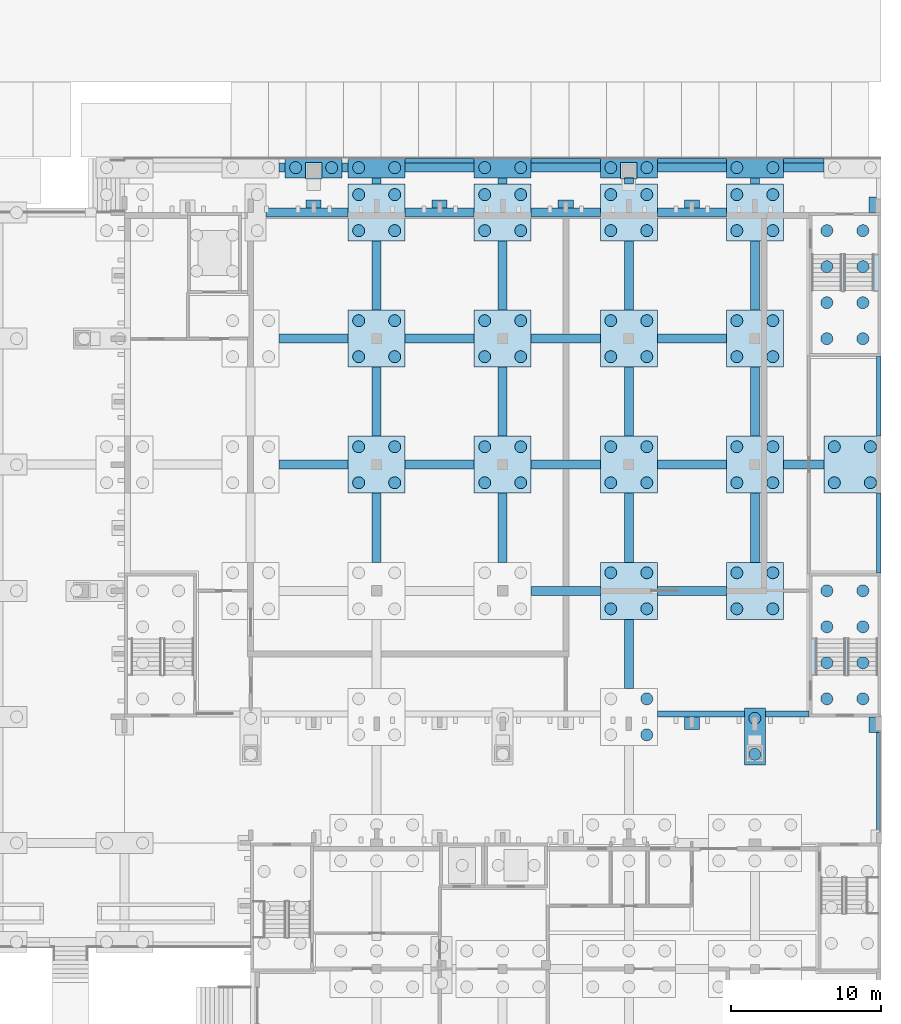
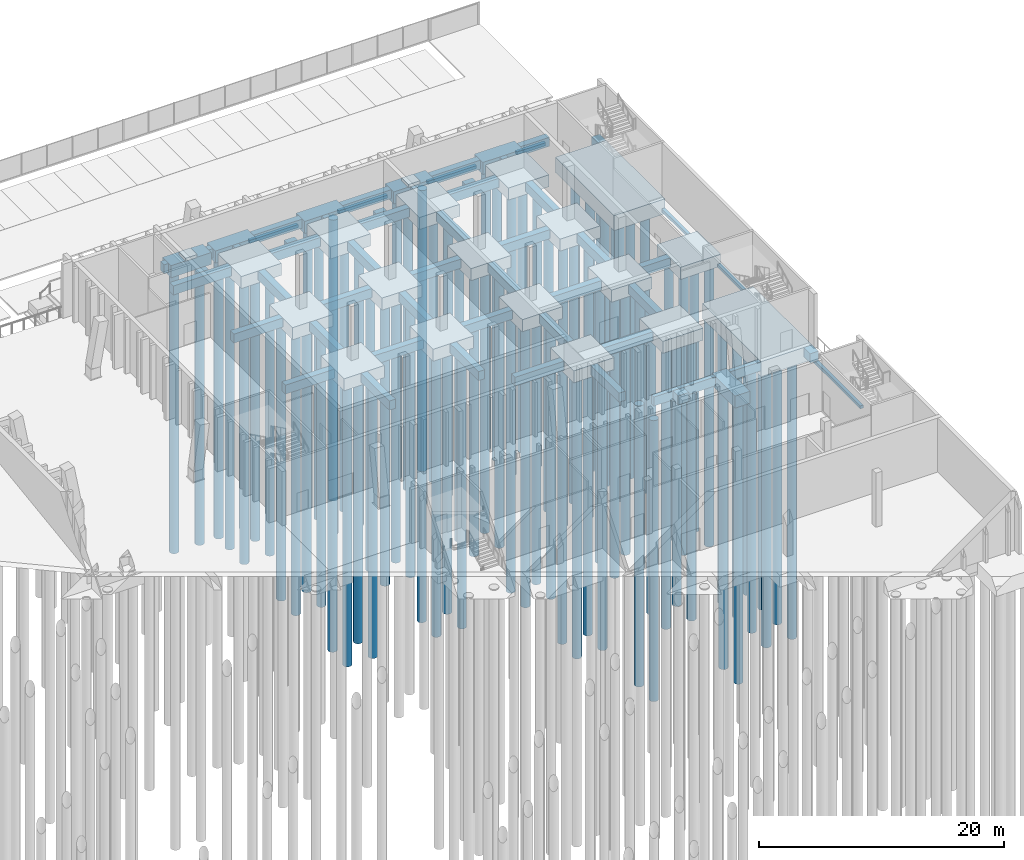
# One storey, part 9 of 129: 90 piles, 79 footings.
"""IFC4 building model written with IfcOpenShell, lengths in metres."""

from ifc_helpers import new_model, si_unit, direction, frame, origin, origin_2d, place, context, subcontext, project, spatial, rectangle, circle, extrude, material, material_profile, profile_set, type_object, element, save


model = new_model("IFC4")

# Units and contexts
model_context = context("Model", 3, precision=1e-05, world=origin(), true_north=direction((0.0, 1.0)))
body_context = subcontext(model_context, "Body", "Model", "MODEL_VIEW")
ifc_project = project(units=[si_unit("LENGTHUNIT", "METRE"), si_unit("AREAUNIT", "SQUARE_METRE"), si_unit("VOLUMEUNIT", "CUBIC_METRE"), si_unit("PLANEANGLEUNIT", "RADIAN"), si_unit("MASSUNIT", "GRAM", prefix="KILO")], contexts=[model_context])

# Site, building, storey
site_placement = place(None, origin())
site = spatial("IfcSite", under=ifc_project, at=site_placement, CompositionType="ELEMENT")
building_placement = place(site_placement, origin())
building = spatial("IfcBuilding", under=site, at=building_placement, Name="Kiln Court Media Centre", CompositionType="ELEMENT")
storey_placement = place(building_placement, origin())
storey = spatial("IfcBuildingStorey", under=building, at=storey_placement, Name="L00", CompositionType="ELEMENT", Elevation=0.0)

# Piles
ifc_material_1 = material(Name="Concrete C30/37", Category="concrete")
ifc_material_profile_1 = material_profile(ifc_material_1, circle(Radius=0.39990234375, at=origin_2d()), Name="PILE D800")
ifc_profile_set_1 = profile_set([ifc_material_profile_1], Name="Concrete C30/37")
pile_type_1 = type_object("IfcPileType", Name="Concrete C30/37 bored pile D800 cut-off -1.400 toe -29.400", PredefinedType="BORED", material=ifc_profile_set_1)
for number, where, z_axis, x_axis, name in (
    (1, (159.60009765625, 31.10009765625, -1.39990234375), (0.0, 0.0, -1.0), (1.0, 0.0, 0.0), "L00-PI-1393"),
    (2, (159.60009765625, 33.5, -1.39990234375), (0.0, 0.0, -1.0), (1.0, 0.0, 0.0), "L00-PI-1394"),
    (3, (152.39990234375, 32.39990234375, -1.39990234375), (0.0, 0.0, -1.0), (1.0, 0.0, 0.0), "L00-PI-1449"),
    (4, (152.39990234375, 34.800048828125, -1.39990234375), (0.0, 0.0, -1.0), (1.0, 0.0, 0.0), "L00-PI-1451"),
    (5, (150.0, 40.800048828125, -1.39990234375), (0.0, 0.0, -1.0), (1.0, 0.0, 0.0), "L00-PI-1575"),
    (6, (152.39990234375, 40.800048828125, -1.39990234375), (0.0, 0.0, -1.0), (1.0, 0.0, 0.0), "L00-PI-1576"),
    (7, (150.0, 43.199951171875, -1.39990234375), (0.0, 0.0, -1.0), (1.0, 0.0, 0.0), "L00-PI-1577"),
    (8, (152.39990234375, 43.199951171875, -1.39990234375), (0.0, 0.0, -1.0), (1.0, 0.0, 0.0), "L00-PI-1578"),
    (9, (158.39990234375, 40.800048828125, -1.39990234375), (0.0, 0.0, -1.0), (1.0, 0.0, 0.0), "L00-PI-1579"),
    (10, (160.800048828125, 40.800048828125, -1.39990234375), (0.0, 0.0, -1.0), (1.0, 0.0, 0.0), "L00-PI-1580"),
    (11, (158.39990234375, 43.199951171875, -1.39990234375), (0.0, 0.0, -1.0), (1.0, 0.0, 0.0), "L00-PI-1581"),
    (12, (160.800048828125, 43.199951171875, -1.39990234375), (0.0, 0.0, -1.0), (1.0, 0.0, 0.0), "L00-PI-1582"),
    (13, (133.199951171875, 49.199951171875, -1.39990234375), (0.0, 0.0, -1.0), (1.0, 0.0, 0.0), "L00-PI-1664"),
    (14, (135.60009765625, 49.199951171875, -1.39990234375), (0.0, 0.0, -1.0), (1.0, 0.0, 0.0), "L00-PI-1665"),
    (15, (133.199951171875, 51.60009765625, -1.39990234375), (0.0, 0.0, -1.0), (1.0, 0.0, 0.0), "L00-PI-1666"),
    (16, (135.60009765625, 51.60009765625, -1.39990234375), (0.0, 0.0, -1.0), (1.0, 0.0, 0.0), "L00-PI-1667"),
    (17, (141.60009765625, 49.199951171875, -1.39990234375), (0.0, 0.0, -1.0), (1.0, 0.0, 0.0), "L00-PI-1668"),
    (18, (144.0, 49.199951171875, -1.39990234375), (0.0, 0.0, -1.0), (1.0, 0.0, 0.0), "L00-PI-1669"),
    (19, (141.60009765625, 51.60009765625, -1.39990234375), (0.0, 0.0, -1.0), (1.0, 0.0, 0.0), "L00-PI-1670"),
    (20, (144.0, 51.60009765625, -1.39990234375), (0.0, 0.0, -1.0), (1.0, 0.0, 0.0), "L00-PI-1671"),
    (21, (150.0, 49.199951171875, -1.39990234375), (0.0, 0.0, -1.0), (1.0, 0.0, 0.0), "L00-PI-1672"),
    (22, (152.39990234375, 49.199951171875, -1.39990234375), (0.0, 0.0, -1.0), (1.0, 0.0, 0.0), "L00-PI-1673"),
    (23, (150.0, 51.60009765625, -1.39990234375), (0.0, 0.0, -1.0), (1.0, 0.0, 0.0), "L00-PI-1674"),
    (24, (152.39990234375, 51.60009765625, -1.39990234375), (0.0, 0.0, -1.0), (1.0, 0.0, 0.0), "L00-PI-1675"),
    (25, (158.39990234375, 49.199951171875, -1.39990234375), (0.0, 0.0, -1.0), (1.0, 0.0, 0.0), "L00-PI-1676"),
    (26, (160.800048828125, 49.199951171875, -1.39990234375), (0.0, 0.0, -1.0), (1.0, 0.0, 0.0), "L00-PI-1677"),
    (27, (158.39990234375, 51.60009765625, -1.39990234375), (0.0, 0.0, -1.0), (1.0, 0.0, 0.0), "L00-PI-1678"),
    (28, (160.800048828125, 51.60009765625, -1.39990234375), (0.0, 0.0, -1.0), (1.0, 0.0, 0.0), "L00-PI-1679"),
    (29, (164.89990234375, 49.199951171875, -1.39990234375), (0.0, 0.0, -1.0), (1.0, 0.0, 0.0), "L00-PI-1680"),
    (30, (167.300048828125, 49.199951171875, -1.39990234375), (0.0, 0.0, -1.0), (1.0, 0.0, 0.0), "L00-PI-1681"),
    (31, (164.89990234375, 51.60009765625, -1.39990234375), (0.0, 0.0, -1.0), (1.0, 0.0, 0.0), "L00-PI-1682"),
    (32, (167.300048828125, 51.60009765625, -1.39990234375), (0.0, 0.0, -1.0), (1.0, 0.0, 0.0), "L00-PI-1683"),
    (33, (133.199951171875, 57.60009765625, -1.39990234375), (0.0, 0.0, -1.0), (1.0, 0.0, 0.0), "L00-PI-1753"),
    (34, (135.60009765625, 57.60009765625, -1.39990234375), (0.0, 0.0, -1.0), (1.0, 0.0, 0.0), "L00-PI-1754"),
    (35, (133.199951171875, 60.0, -1.39990234375), (0.0, 0.0, -1.0), (1.0, 0.0, 0.0), "L00-PI-1755"),
    (36, (135.60009765625, 60.0, -1.39990234375), (0.0, 0.0, -1.0), (1.0, 0.0, 0.0), "L00-PI-1756"),
    (37, (141.60009765625, 57.60009765625, -1.39990234375), (0.0, 0.0, -1.0), (1.0, 0.0, 0.0), "L00-PI-1757"),
    (38, (144.0, 57.60009765625, -1.39990234375), (0.0, 0.0, -1.0), (1.0, 0.0, 0.0), "L00-PI-1758"),
    (39, (141.60009765625, 60.0, -1.39990234375), (0.0, 0.0, -1.0), (1.0, 0.0, 0.0), "L00-PI-1759"),
    (40, (144.0, 60.0, -1.39990234375), (0.0, 0.0, -1.0), (1.0, 0.0, 0.0), "L00-PI-1760"),
    (41, (150.0, 57.60009765625, -1.39990234375), (0.0, 0.0, -1.0), (1.0, 0.0, 0.0), "L00-PI-1761"),
    (42, (152.39990234375, 57.60009765625, -1.39990234375), (0.0, 0.0, -1.0), (1.0, 0.0, 0.0), "L00-PI-1762"),
    (43, (150.0, 60.0, -1.39990234375), (0.0, 0.0, -1.0), (1.0, 0.0, 0.0), "L00-PI-1763"),
    (44, (152.39990234375, 60.0, -1.39990234375), (0.0, 0.0, -1.0), (1.0, 0.0, 0.0), "L00-PI-1764"),
    (45, (158.39990234375, 57.60009765625, -1.39990234375), (0.0, 0.0, -1.0), (1.0, 0.0, 0.0), "L00-PI-1765"),
    (46, (160.800048828125, 57.60009765625, -1.39990234375), (0.0, 0.0, -1.0), (1.0, 0.0, 0.0), "L00-PI-1766"),
    (47, (158.39990234375, 60.0, -1.39990234375), (0.0, 0.0, -1.0), (1.0, 0.0, 0.0), "L00-PI-1767"),
    (48, (160.800048828125, 60.0, -1.39990234375), (0.0, 0.0, -1.0), (1.0, 0.0, 0.0), "L00-PI-1768"),
    (49, (133.199951171875, 66.0, -1.39990234375), (0.0, 0.0, -1.0), (1.0, 0.0, 0.0), "L00-PI-1875"),
    (50, (135.60009765625, 66.0, -1.39990234375), (0.0, 0.0, -1.0), (1.0, 0.0, 0.0), "L00-PI-1876"),
    (51, (133.199951171875, 68.39990234375, -1.39990234375), (0.0, 0.0, -1.0), (1.0, 0.0, 0.0), "L00-PI-1877"),
    (52, (135.60009765625, 68.39990234375, -1.39990234375), (0.0, 0.0, -1.0), (1.0, 0.0, 0.0), "L00-PI-1878"),
    (53, (141.60009765625, 66.0, -1.39990234375), (0.0, 0.0, -1.0), (1.0, 0.0, 0.0), "L00-PI-1879"),
    (54, (144.0, 66.0, -1.39990234375), (0.0, 0.0, -1.0), (1.0, 0.0, 0.0), "L00-PI-1880"),
    (55, (141.60009765625, 68.39990234375, -1.39990234375), (0.0, 0.0, -1.0), (1.0, 0.0, 0.0), "L00-PI-1881"),
    (56, (144.0, 68.39990234375, -1.39990234375), (0.0, 0.0, -1.0), (1.0, 0.0, 0.0), "L00-PI-1882"),
    (57, (150.0, 66.0, -1.39990234375), (0.0, 0.0, -1.0), (1.0, 0.0, 0.0), "L00-PI-1883"),
    (58, (152.39990234375, 66.0, -1.39990234375), (0.0, 0.0, -1.0), (1.0, 0.0, 0.0), "L00-PI-1884"),
    (59, (150.0, 68.39990234375, -1.39990234375), (0.0, 0.0, -1.0), (1.0, 0.0, 0.0), "L00-PI-1885"),
    (60, (152.39990234375, 68.39990234375, -1.39990234375), (0.0, 0.0, -1.0), (1.0, 0.0, 0.0), "L00-PI-1886"),
    (61, (158.39990234375, 66.0, -1.39990234375), (0.0, 0.0, -1.0), (1.0, 0.0, 0.0), "L00-PI-1887"),
    (62, (160.800048828125, 66.0, -1.39990234375), (0.0, 0.0, -1.0), (1.0, 0.0, 0.0), "L00-PI-1888"),
    (63, (158.39990234375, 68.39990234375, -1.39990234375), (0.0, 0.0, -1.0), (1.0, 0.0, 0.0), "L00-PI-1889"),
    (64, (160.800048828125, 68.39990234375, -1.39990234375), (0.0, 0.0, -1.0), (1.0, 0.0, 0.0), "L00-PI-1890"),
    (65, (129.0, 70.199951171875, -1.39990234375), (0.0, 0.0, -1.0), (1.0, 0.0, 0.0), "L00-PI-1923"),
    (66, (131.39990234375, 70.199951171875, -1.39990234375), (0.0, 0.0, -1.0), (1.0, 0.0, 0.0), "L00-PI-1924"),
    (67, (133.199951171875, 70.199951171875, -1.39990234375), (0.0, 0.0, -1.0), (1.0, 0.0, 0.0), "L00-PI-1925"),
    (68, (135.60009765625, 70.199951171875, -1.39990234375), (0.0, 0.0, -1.0), (1.0, 0.0, 0.0), "L00-PI-1926"),
    (69, (141.60009765625, 70.199951171875, -1.39990234375), (0.0, 0.0, -1.0), (1.0, 0.0, 0.0), "L00-PI-1927"),
    (70, (144.0, 70.199951171875, -1.39990234375), (0.0, 0.0, -1.0), (1.0, 0.0, 0.0), "L00-PI-1928"),
    (71, (150.0, 70.199951171875, -1.39990234375), (0.0, 0.0, -1.0), (1.0, 0.0, 0.0), "L00-PI-1929"),
    (72, (152.39990234375, 70.199951171875, -1.39990234375), (0.0, 0.0, -1.0), (1.0, 0.0, 0.0), "L00-PI-1930"),
    (73, (158.39990234375, 70.199951171875, -1.39990234375), (0.0, 0.0, -1.0), (1.0, 0.0, 0.0), "L00-PI-1931"),
    (74, (160.800048828125, 70.199951171875, -1.39990234375), (0.0, 0.0, -1.0), (1.0, 0.0, 0.0), "L00-PI-1932"),
):
    element("IfcPile", number, at=place(storey_placement, frame(where, z_axis=z_axis, x_axis=x_axis)), inside=storey, type_object=pile_type_1, Name=name, PredefinedType="BORED", context=body_context, shape_type="SweptSolid", body=[
        extrude(circle(Radius=0.39990234375, at=origin_2d()), origin(), (0.0, 0.0, 1.0), 28.0),
    ])
ifc_material_2 = material(Name="Concrete C30/37", Category="concrete")
ifc_material_profile_2 = material_profile(ifc_material_2, circle(Radius=0.39990234375, at=origin_2d()), Name="PILE D800")
ifc_profile_set_2 = profile_set([ifc_material_profile_2], Name="Concrete C30/37")
pile_type_2 = type_object("IfcPileType", Name="Concrete C30/37 bored pile D800 cut-off -1.700 toe -29.700", PredefinedType="BORED", material=ifc_profile_set_2)
for number, where, z_axis, x_axis, name in (
    (75, (164.39990234375, 34.800048828125, -1.699951171875), (0.0, 0.0, -1.0), (1.0, 0.0, 0.0), "L00-PI-1480"),
    (76, (166.800048828125, 34.800048828125, -1.699951171875), (0.0, 0.0, -1.0), (1.0, 0.0, 0.0), "L00-PI-1481"),
    (77, (164.39990234375, 37.199951171875, -1.699951171875), (0.0, 0.0, -1.0), (1.0, 0.0, 0.0), "L00-PI-1482"),
    (78, (166.800048828125, 37.199951171875, -1.699951171875), (0.0, 0.0, -1.0), (1.0, 0.0, 0.0), "L00-PI-1483"),
    (79, (164.39990234375, 39.60009765625, -1.699951171875), (0.0, 0.0, -1.0), (1.0, 0.0, 0.0), "L00-PI-1484"),
    (80, (166.800048828125, 39.60009765625, -1.699951171875), (0.0, 0.0, -1.0), (1.0, 0.0, 0.0), "L00-PI-1485"),
    (81, (164.39990234375, 42.0, -1.699951171875), (0.0, 0.0, -1.0), (1.0, 0.0, 0.0), "L00-PI-1486"),
    (82, (166.800048828125, 42.0, -1.699951171875), (0.0, 0.0, -1.0), (1.0, 0.0, 0.0), "L00-PI-1487"),
    (83, (164.39990234375, 58.800048828125, -1.699951171875), (0.0, 0.0, -1.0), (1.0, 0.0, 0.0), "L00-PI-1801"),
    (84, (166.800048828125, 58.800048828125, -1.699951171875), (0.0, 0.0, -1.0), (1.0, 0.0, 0.0), "L00-PI-1802"),
    (85, (164.39990234375, 61.199951171875, -1.699951171875), (0.0, 0.0, -1.0), (1.0, 0.0, 0.0), "L00-PI-1803"),
    (86, (166.800048828125, 61.199951171875, -1.699951171875), (0.0, 0.0, -1.0), (1.0, 0.0, 0.0), "L00-PI-1804"),
    (87, (164.39990234375, 63.60009765625, -1.699951171875), (0.0, 0.0, -1.0), (1.0, 0.0, 0.0), "L00-PI-1805"),
    (88, (166.800048828125, 63.60009765625, -1.699951171875), (0.0, 0.0, -1.0), (1.0, 0.0, 0.0), "L00-PI-1806"),
    (89, (164.39990234375, 66.0, -1.699951171875), (0.0, 0.0, -1.0), (1.0, 0.0, 0.0), "L00-PI-1807"),
    (90, (166.800048828125, 66.0, -1.699951171875), (0.0, 0.0, -1.0), (1.0, 0.0, 0.0), "L00-PI-1808"),
):
    element("IfcPile", number, at=place(storey_placement, frame(where, z_axis=z_axis, x_axis=x_axis)), inside=storey, type_object=pile_type_2, Name=name, PredefinedType="BORED", context=body_context, shape_type="SweptSolid", body=[
        extrude(circle(Radius=0.39990234375, at=origin_2d()), origin(), (0.0, 0.0, 1.0), 28.0),
    ])

# Footings
ifc_material_3 = material(Name="Concrete C30/37", Category="concrete")
footing_type_1 = type_object("IfcFootingType", Name="Concrete C30/37 column pad 1000x900", PredefinedType="PAD_FOOTING", material=ifc_material_3)
footing_1_placement = place(storey_placement, frame((155.39990234375, 33.175048828125, -1.199951171875), z_axis=(0.0, 0.0, 1.0), x_axis=(1.0, 0.0, 0.0)))
element("IfcFooting", 91, at=footing_1_placement, inside=storey, type_object=footing_type_1, Name="L00-FT-1530", PredefinedType="PAD_FOOTING", context=body_context, shape_type="SweptSolid", body=[
    extrude(rectangle(XDim=1.0, YDim=0.85009765625, at=origin_2d()), origin(), (0.0, 0.0, 1.0), 0.89990234375),
])
for number, where, z_axis, x_axis, name in (
    (92, (130.199951171875, 67.77490234375, -1.199951171875), (0.0, 0.0, 1.0), (1.0, 0.0, 0.0), "L00-FT-1533"),
    (93, (138.60009765625, 67.77490234375, -1.199951171875), (0.0, 0.0, 1.0), (1.0, 0.0, 0.0), "L00-FT-1534"),
    (94, (147.0, 67.77490234375, -1.199951171875), (0.0, 0.0, 1.0), (1.0, 0.0, 0.0), "L00-FT-1535"),
    (95, (155.39990234375, 67.77490234375, -1.199951171875), (0.0, 0.0, 1.0), (1.0, 0.0, 0.0), "L00-FT-1536"),
):
    element("IfcFooting", number, at=place(storey_placement, frame(where, z_axis=z_axis, x_axis=x_axis)), inside=storey, type_object=footing_type_1, Name=name, PredefinedType="PAD_FOOTING", context=body_context, shape_type="SweptSolid", body=[
        extrude(rectangle(XDim=1.0, YDim=0.550048828125, at=origin_2d()), origin(), (0.0, 0.0, 1.0), 0.89990234375),
    ])
ifc_material_4 = material(Name="Concrete C30/37", Category="concrete")
footing_type_2 = type_object("IfcFootingType", Name="Concrete C30/37 column pad 1200x900", PredefinedType="PAD_FOOTING", material=ifc_material_4)
for number, where, z_axis, x_axis, name in (
    (96, (167.612548828125, 33.074951171875, -1.199951171875), (0.0, 0.0, 1.0), (1.0, 0.0, 0.0), "L00-FT-1531"),
    (97, (167.612548828125, 67.72509765625, -1.199951171875), (0.0, 0.0, 1.0), (1.0, 0.0, 0.0), "L00-FT-1537"),
):
    element("IfcFooting", number, at=place(storey_placement, frame(where, z_axis=z_axis, x_axis=x_axis)), inside=storey, type_object=footing_type_2, Name=name, PredefinedType="PAD_FOOTING", context=body_context, shape_type="SweptSolid", body=[
        extrude(rectangle(XDim=0.77490234375, YDim=1.050048828125, at=origin_2d()), origin(), (0.0, 0.0, 1.0), 0.89990234375),
    ])
ifc_material_5 = material(Name="Concrete C30/37", Category="concrete")
footing_type_3 = type_object("IfcFootingType", Name="Concrete C30/37 foot pier 1100x1100", PredefinedType="PAD_FOOTING", material=ifc_material_5)
for number, where, z_axis, x_axis, name in (
    (98, (130.199951171875, 70.0, -0.2998046875), (0.0, 0.0, 1.0), (1.0, 0.0, 0.0), "L00-FT-1010"),
    (99, (151.199951171875, 70.0, -0.2998046875), (0.0, 0.0, 1.0), (1.0, 0.0, 0.0), "L00-FT-1011"),
):
    element("IfcFooting", number, at=place(storey_placement, frame(where, z_axis=z_axis, x_axis=x_axis)), inside=storey, type_object=footing_type_3, Name=name, PredefinedType="PAD_FOOTING", context=body_context, shape_type="SweptSolid", body=[
        extrude(rectangle(XDim=1.10009765625, YDim=1.10009765625, at=origin_2d()), origin(), (0.0, 0.0, 1.0), 0.300048828125),
    ])
ifc_material_6 = material(Name="Concrete C30/37", Category="concrete")
footing_type_4 = type_object("IfcFootingType", Name="Concrete C30/37 ground beam 600x900", PredefinedType="STRIP_FOOTING", material=ifc_material_6)
footing_2_placement = place(storey_placement, frame((151.199951171875, 37.800048828125, -1.199951171875), z_axis=(0.0, 0.0, 1.0), x_axis=(1.0, 0.0, 0.0)))
element("IfcFooting", 100, at=footing_2_placement, inside=storey, type_object=footing_type_4, Name="L00-FT-1327", PredefinedType="STRIP_FOOTING", context=body_context, shape_type="SweptSolid", body=[
    extrude(rectangle(XDim=0.60009765625, YDim=4.60009765625, at=origin_2d()), origin(), (0.0, 0.0, 1.0), 0.89990234375),
])
for number, where, z_axis, x_axis, name in (
    (101, (147.0, 42.0, -1.199951171875), (0.0, 0.0, 1.0), (1.0, 0.0, 0.0), "L00-FT-1339"),
    (102, (155.39990234375, 42.0, -1.199951171875), (0.0, 0.0, 1.0), (1.0, 0.0, 0.0), "L00-FT-1340"),
):
    element("IfcFooting", number, at=place(storey_placement, frame(where, z_axis=z_axis, x_axis=x_axis)), inside=storey, type_object=footing_type_4, Name=name, PredefinedType="STRIP_FOOTING", context=body_context, shape_type="SweptSolid", body=[
        extrude(rectangle(XDim=4.60009765625, YDim=0.60009765625, at=origin_2d()), origin(), (0.0, 0.0, 1.0), 0.89990234375),
    ])
for number, where, z_axis, x_axis, name in (
    (103, (134.39990234375, 46.199951171875, -1.199951171875), (0.0, 0.0, 1.0), (1.0, 0.0, 0.0), "L00-FT-1348"),
    (104, (142.800048828125, 46.199951171875, -1.199951171875), (0.0, 0.0, 1.0), (1.0, 0.0, 0.0), "L00-FT-1349"),
    (105, (151.199951171875, 46.199951171875, -1.199951171875), (0.0, 0.0, 1.0), (1.0, 0.0, 0.0), "L00-FT-1350"),
    (106, (159.60009765625, 46.199951171875, -1.199951171875), (0.0, 0.0, 1.0), (1.0, 0.0, 0.0), "L00-FT-1351"),
):
    element("IfcFooting", number, at=place(storey_placement, frame(where, z_axis=z_axis, x_axis=x_axis)), inside=storey, type_object=footing_type_4, Name=name, PredefinedType="STRIP_FOOTING", context=body_context, shape_type="SweptSolid", body=[
        extrude(rectangle(XDim=0.60009765625, YDim=4.60009765625, at=origin_2d()), origin(), (0.0, 0.0, 1.0), 0.89990234375),
    ])
for number, where, z_axis, x_axis, name in (
    (107, (130.199951171875, 50.39990234375, -1.199951171875), (0.0, 0.0, 1.0), (1.0, 0.0, 0.0), "L00-FT-1360"),
    (108, (138.60009765625, 50.39990234375, -1.199951171875), (0.0, 0.0, 1.0), (1.0, 0.0, 0.0), "L00-FT-1361"),
    (109, (147.0, 50.39990234375, -1.199951171875), (0.0, 0.0, 1.0), (1.0, 0.0, 0.0), "L00-FT-1362"),
    (110, (155.39990234375, 50.39990234375, -1.199951171875), (0.0, 0.0, 1.0), (1.0, 0.0, 0.0), "L00-FT-1363"),
):
    element("IfcFooting", number, at=place(storey_placement, frame(where, z_axis=z_axis, x_axis=x_axis)), inside=storey, type_object=footing_type_4, Name=name, PredefinedType="STRIP_FOOTING", context=body_context, shape_type="SweptSolid", body=[
        extrude(rectangle(XDim=4.60009765625, YDim=0.60009765625, at=origin_2d()), origin(), (0.0, 0.0, 1.0), 0.89990234375),
    ])
footing_3_placement = place(storey_placement, frame((162.85009765625, 50.39990234375, -1.199951171875), z_axis=(0.0, 0.0, 1.0), x_axis=(1.0, 0.0, 0.0)))
element("IfcFooting", 111, at=footing_3_placement, inside=storey, type_object=footing_type_4, Name="L00-FT-1364", PredefinedType="STRIP_FOOTING", context=body_context, shape_type="SweptSolid", body=[
    extrude(rectangle(XDim=2.699951171875, YDim=0.60009765625, at=origin_2d()), origin(), (0.0, 0.0, 1.0), 0.89990234375),
])
for number, where, z_axis, x_axis, name in (
    (112, (134.39990234375, 54.60009765625, -1.199951171875), (0.0, 0.0, 1.0), (1.0, 0.0, 0.0), "L00-FT-1370"),
    (113, (142.800048828125, 54.60009765625, -1.199951171875), (0.0, 0.0, 1.0), (1.0, 0.0, 0.0), "L00-FT-1371"),
    (114, (151.199951171875, 54.60009765625, -1.199951171875), (0.0, 0.0, 1.0), (1.0, 0.0, 0.0), "L00-FT-1372"),
    (115, (159.60009765625, 54.60009765625, -1.199951171875), (0.0, 0.0, 1.0), (1.0, 0.0, 0.0), "L00-FT-1373"),
):
    element("IfcFooting", number, at=place(storey_placement, frame(where, z_axis=z_axis, x_axis=x_axis)), inside=storey, type_object=footing_type_4, Name=name, PredefinedType="STRIP_FOOTING", context=body_context, shape_type="SweptSolid", body=[
        extrude(rectangle(XDim=0.60009765625, YDim=4.60009765625, at=origin_2d()), origin(), (0.0, 0.0, 1.0), 0.89990234375),
    ])
for number, where, z_axis, x_axis, name in (
    (116, (130.199951171875, 58.800048828125, -1.199951171875), (0.0, 0.0, 1.0), (1.0, 0.0, 0.0), "L00-FT-1380"),
    (117, (138.60009765625, 58.800048828125, -1.199951171875), (0.0, 0.0, 1.0), (1.0, 0.0, 0.0), "L00-FT-1381"),
    (118, (147.0, 58.800048828125, -1.199951171875), (0.0, 0.0, 1.0), (1.0, 0.0, 0.0), "L00-FT-1382"),
    (119, (155.39990234375, 58.800048828125, -1.199951171875), (0.0, 0.0, 1.0), (1.0, 0.0, 0.0), "L00-FT-1383"),
):
    element("IfcFooting", number, at=place(storey_placement, frame(where, z_axis=z_axis, x_axis=x_axis)), inside=storey, type_object=footing_type_4, Name=name, PredefinedType="STRIP_FOOTING", context=body_context, shape_type="SweptSolid", body=[
        extrude(rectangle(XDim=4.60009765625, YDim=0.60009765625, at=origin_2d()), origin(), (0.0, 0.0, 1.0), 0.89990234375),
    ])
for number, where, z_axis, x_axis, name in (
    (120, (134.39990234375, 63.0, -1.199951171875), (0.0, 0.0, 1.0), (1.0, 0.0, 0.0), "L00-FT-1395"),
    (121, (142.800048828125, 63.0, -1.199951171875), (0.0, 0.0, 1.0), (1.0, 0.0, 0.0), "L00-FT-1396"),
    (122, (151.199951171875, 63.0, -1.199951171875), (0.0, 0.0, 1.0), (1.0, 0.0, 0.0), "L00-FT-1397"),
    (123, (159.60009765625, 63.0, -1.199951171875), (0.0, 0.0, 1.0), (1.0, 0.0, 0.0), "L00-FT-1398"),
):
    element("IfcFooting", number, at=place(storey_placement, frame(where, z_axis=z_axis, x_axis=x_axis)), inside=storey, type_object=footing_type_4, Name=name, PredefinedType="STRIP_FOOTING", context=body_context, shape_type="SweptSolid", body=[
        extrude(rectangle(XDim=0.60009765625, YDim=4.60009765625, at=origin_2d()), origin(), (0.0, 0.0, 1.0), 0.89990234375),
    ])
footing_4_placement = place(storey_placement, frame((129.760009765625, 67.199951171875, -1.199951171875), z_axis=(0.0, 0.0, 1.0), x_axis=(1.0, 0.0, 0.0)))
element("IfcFooting", 124, at=footing_4_placement, inside=storey, type_object=footing_type_4, Name="L00-FT-1408", PredefinedType="STRIP_FOOTING", context=body_context, shape_type="SweptSolid", body=[
    extrude(rectangle(XDim=5.47998046875, YDim=0.60009765625, at=origin_2d()), origin(), (0.0, 0.0, 1.0), 0.89990234375),
])
for number, where, z_axis, x_axis, name in (
    (125, (138.60009765625, 67.199951171875, -1.199951171875), (0.0, 0.0, 1.0), (1.0, 0.0, 0.0), "L00-FT-1409"),
    (126, (147.0, 67.199951171875, -1.199951171875), (0.0, 0.0, 1.0), (1.0, 0.0, 0.0), "L00-FT-1410"),
    (127, (155.39990234375, 67.199951171875, -1.199951171875), (0.0, 0.0, 1.0), (1.0, 0.0, 0.0), "L00-FT-1411"),
):
    element("IfcFooting", number, at=place(storey_placement, frame(where, z_axis=z_axis, x_axis=x_axis)), inside=storey, type_object=footing_type_4, Name=name, PredefinedType="STRIP_FOOTING", context=body_context, shape_type="SweptSolid", body=[
        extrude(rectangle(XDim=4.60009765625, YDim=0.60009765625, at=origin_2d()), origin(), (0.0, 0.0, 1.0), 0.89990234375),
    ])
for number, where, z_axis, x_axis, name in (
    (128, (134.39990234375, 69.300048828125, -1.199951171875), (0.0, 0.0, 1.0), (1.0, 0.0, 0.0), "L00-FT-1422"),
    (129, (142.800048828125, 69.300048828125, -1.199951171875), (0.0, 0.0, 1.0), (1.0, 0.0, 0.0), "L00-FT-1423"),
    (130, (151.199951171875, 69.300048828125, -1.199951171875), (0.0, 0.0, 1.0), (1.0, 0.0, 0.0), "L00-FT-1424"),
    (131, (159.60009765625, 69.300048828125, -1.199951171875), (0.0, 0.0, 1.0), (1.0, 0.0, 0.0), "L00-FT-1425"),
):
    element("IfcFooting", number, at=place(storey_placement, frame(where, z_axis=z_axis, x_axis=x_axis)), inside=storey, type_object=footing_type_4, Name=name, PredefinedType="STRIP_FOOTING", context=body_context, shape_type="SweptSolid", body=[
        extrude(rectangle(XDim=0.60009765625, YDim=0.39990234375, at=origin_2d()), origin(), (0.0, 0.0, 1.0), 0.89990234375),
    ])
for number, where, z_axis, x_axis, name in (
    (132, (128.10009765625, 70.199951171875, -1.199951171875), (0.0, 0.0, 1.0), (1.0, 0.0, 0.0), "L00-FT-1442"),
    (133, (132.300048828125, 70.199951171875, -1.199951171875), (0.0, 0.0, 1.0), (1.0, 0.0, 0.0), "L00-FT-1443"),
):
    element("IfcFooting", number, at=place(storey_placement, frame(where, z_axis=z_axis, x_axis=x_axis)), inside=storey, type_object=footing_type_4, Name=name, PredefinedType="STRIP_FOOTING", context=body_context, shape_type="SweptSolid", body=[
        extrude(rectangle(XDim=0.39990234375, YDim=0.60009765625, at=origin_2d()), origin(), (0.0, 0.0, 1.0), 0.89990234375),
    ])
for number, where, z_axis, x_axis, name in (
    (134, (138.60009765625, 70.199951171875, -1.199951171875), (0.0, 0.0, 1.0), (1.0, 0.0, 0.0), "L00-FT-1444"),
    (135, (147.0, 70.199951171875, -1.199951171875), (0.0, 0.0, 1.0), (1.0, 0.0, 0.0), "L00-FT-1445"),
    (136, (155.39990234375, 70.199951171875, -1.199951171875), (0.0, 0.0, 1.0), (1.0, 0.0, 0.0), "L00-FT-1446"),
):
    element("IfcFooting", number, at=place(storey_placement, frame(where, z_axis=z_axis, x_axis=x_axis)), inside=storey, type_object=footing_type_4, Name=name, PredefinedType="STRIP_FOOTING", context=body_context, shape_type="SweptSolid", body=[
        extrude(rectangle(XDim=4.60009765625, YDim=0.60009765625, at=origin_2d()), origin(), (0.0, 0.0, 1.0), 0.89990234375),
    ])
footing_5_placement = place(storey_placement, frame((162.85009765625, 70.199951171875, -1.199951171875), z_axis=(0.0, 0.0, 1.0), x_axis=(1.0, 0.0, 0.0)))
element("IfcFooting", 137, at=footing_5_placement, inside=storey, type_object=footing_type_4, Name="L00-FT-1447", PredefinedType="STRIP_FOOTING", context=body_context, shape_type="SweptSolid", body=[
    extrude(rectangle(XDim=2.699951171875, YDim=0.60009765625, at=origin_2d()), origin(), (0.0, 0.0, 1.0), 0.89990234375),
])
ifc_material_7 = material(Name="Concrete C30/37", Category="concrete")
footing_type_5 = type_object("IfcFootingType", Name="Concrete C30/37 pile cap 1400x3800x1200", PredefinedType="PILE_CAP", material=ifc_material_7)
footing_6_placement = place(storey_placement, frame((159.60009765625, 32.300048828125, -1.5), z_axis=(0.0, 0.0, 1.0), x_axis=(1.0, 0.0, 0.0)))
element("IfcFooting", 138, at=footing_6_placement, inside=storey, type_object=footing_type_5, Name="L00-FT-1095", PredefinedType="PILE_CAP", context=body_context, shape_type="SweptSolid", body=[
    extrude(rectangle(XDim=1.39990234375, YDim=3.800048828125, at=origin_2d()), origin(), (0.0, 0.0, 1.0), 1.199951171875),
])
ifc_material_8 = material(Name="Concrete C30/37", Category="concrete")
footing_type_6 = type_object("IfcFootingType", Name="Concrete C30/37 pile cap 3800x1400x1200", PredefinedType="PILE_CAP", material=ifc_material_8)
for number, where, z_axis, x_axis, name in (
    (139, (130.199951171875, 70.199951171875, -1.5), (0.0, 0.0, 1.0), (1.0, 0.0, 0.0), "L00-FT-1222"),
    (140, (134.39990234375, 70.199951171875, -1.5), (0.0, 0.0, 1.0), (1.0, 0.0, 0.0), "L00-FT-1223"),
    (141, (142.800048828125, 70.199951171875, -1.5), (0.0, 0.0, 1.0), (1.0, 0.0, 0.0), "L00-FT-1224"),
    (142, (151.199951171875, 70.199951171875, -1.5), (0.0, 0.0, 1.0), (1.0, 0.0, 0.0), "L00-FT-1225"),
    (143, (159.60009765625, 70.199951171875, -1.5), (0.0, 0.0, 1.0), (1.0, 0.0, 0.0), "L00-FT-1226"),
):
    element("IfcFooting", number, at=place(storey_placement, frame(where, z_axis=z_axis, x_axis=x_axis)), inside=storey, type_object=footing_type_6, Name=name, PredefinedType="PILE_CAP", context=body_context, shape_type="SweptSolid", body=[
        extrude(rectangle(XDim=3.800048828125, YDim=1.39990234375, at=origin_2d()), origin(), (0.0, 0.0, 1.0), 1.199951171875),
    ])
ifc_material_9 = material(Name="Concrete C30/37", Category="concrete")
footing_type_7 = type_object("IfcFootingType", Name="Concrete C30/37 pile cap 3800x3800x1200", PredefinedType="PILE_CAP", material=ifc_material_9)
for number, where, z_axis, x_axis, name in (
    (144, (151.199951171875, 42.0, -1.5), (0.0, 0.0, 1.0), (1.0, 0.0, 0.0), "L00-FT-1137"),
    (145, (159.60009765625, 42.0, -1.5), (0.0, 0.0, 1.0), (1.0, 0.0, 0.0), "L00-FT-1138"),
    (146, (134.39990234375, 50.39990234375, -1.5), (0.0, 0.0, 1.0), (1.0, 0.0, 0.0), "L00-FT-1158"),
    (147, (142.800048828125, 50.39990234375, -1.5), (0.0, 0.0, 1.0), (1.0, 0.0, 0.0), "L00-FT-1159"),
    (148, (151.199951171875, 50.39990234375, -1.5), (0.0, 0.0, 1.0), (1.0, 0.0, 0.0), "L00-FT-1160"),
    (149, (159.60009765625, 50.39990234375, -1.5), (0.0, 0.0, 1.0), (1.0, 0.0, 0.0), "L00-FT-1161"),
    (150, (166.099609375, 50.39990234375, -1.5), (0.0, 0.0, 1.0), (1.0, 0.0, 0.0), "L00-FT-1162"),
    (151, (134.39990234375, 58.800048828125, -1.5), (0.0, 0.0, 1.0), (1.0, 0.0, 0.0), "L00-FT-1178"),
    (152, (142.800048828125, 58.800048828125, -1.5), (0.0, 0.0, 1.0), (1.0, 0.0, 0.0), "L00-FT-1179"),
    (153, (151.199951171875, 58.800048828125, -1.5), (0.0, 0.0, 1.0), (1.0, 0.0, 0.0), "L00-FT-1180"),
    (154, (159.60009765625, 58.800048828125, -1.5), (0.0, 0.0, 1.0), (1.0, 0.0, 0.0), "L00-FT-1181"),
    (155, (134.39990234375, 67.199951171875, -1.5), (0.0, 0.0, 1.0), (1.0, 0.0, 0.0), "L00-FT-1202"),
    (156, (142.800048828125, 67.199951171875, -1.5), (0.0, 0.0, 1.0), (1.0, 0.0, 0.0), "L00-FT-1203"),
    (157, (151.199951171875, 67.199951171875, -1.5), (0.0, 0.0, 1.0), (1.0, 0.0, 0.0), "L00-FT-1204"),
    (158, (159.60009765625, 67.199951171875, -1.5), (0.0, 0.0, 1.0), (1.0, 0.0, 0.0), "L00-FT-1205"),
):
    element("IfcFooting", number, at=place(storey_placement, frame(where, z_axis=z_axis, x_axis=x_axis)), inside=storey, type_object=footing_type_7, Name=name, PredefinedType="PILE_CAP", context=body_context, shape_type="SweptSolid", body=[
        extrude(rectangle(XDim=3.800048828125, YDim=3.800048828125, at=origin_2d()), origin(), (0.0, 0.0, 1.0), 1.199951171875),
    ])
ifc_material_10 = material(Name="Concrete C30/37", Category="concrete")
footing_type_8 = type_object("IfcFootingType", Name="Concrete C30/37 pile cap 4800x9600x1500", PredefinedType="PILE_CAP", material=ifc_material_10)
for number, where, z_axis, x_axis, name in (
    (159, (165.599609375, 38.39990234375, -1.800048828125), (0.0, 0.0, 1.0), (1.0, 0.0, 0.0), "L00-FT-1117"),
    (160, (165.599609375, 62.39990234375, -1.800048828125), (0.0, 0.0, 1.0), (1.0, 0.0, 0.0), "L00-FT-1186"),
):
    element("IfcFooting", number, at=place(storey_placement, frame(where, z_axis=z_axis, x_axis=x_axis)), inside=storey, type_object=footing_type_8, Name=name, PredefinedType="PILE_CAP", context=body_context, shape_type="SweptSolid", body=[
        extrude(rectangle(XDim=4.800048828125, YDim=9.60009765625, at=origin_2d()), origin(), (0.0, 0.0, 1.0), 1.5),
    ])
ifc_material_11 = material(Name="Concrete C30/37", Category="concrete")
footing_type_9 = type_object("IfcFootingType", Name="Concrete C30/37 wall footing 300x300", PredefinedType="STRIP_FOOTING", material=ifc_material_11)
footing_7_placement = place(storey_placement, frame((167.849609375, 29.39990234375, -1.5), z_axis=(0.0, 0.0, 1.0), x_axis=(1.0, 0.0, 0.0)))
element("IfcFooting", 161, at=footing_7_placement, inside=storey, type_object=footing_type_9, Name="L00-FT-1488", PredefinedType="STRIP_FOOTING", context=body_context, shape_type="SweptSolid", body=[
    extrude(rectangle(XDim=0.300048828125, YDim=8.39990234375, at=origin_2d()), origin(), (0.0, 0.0, 1.0), 0.300048828125),
])
for number, where, z_axis, x_axis, name in (
    (162, (167.849609375, 45.85009765625, -1.5), (0.0, 0.0, 1.0), (1.0, 0.0, 0.0), "L00-FT-1489"),
    (163, (167.849609375, 54.949951171875, -1.5), (0.0, 0.0, 1.0), (1.0, 0.0, 0.0), "L00-FT-1490"),
):
    element("IfcFooting", number, at=place(storey_placement, frame(where, z_axis=z_axis, x_axis=x_axis)), inside=storey, type_object=footing_type_9, Name=name, PredefinedType="STRIP_FOOTING", context=body_context, shape_type="SweptSolid", body=[
        extrude(rectangle(XDim=0.300048828125, YDim=5.300048828125, at=origin_2d()), origin(), (0.0, 0.0, 1.0), 0.300048828125),
    ])
for number, where, z_axis, x_axis, name in (
    (164, (138.60009765625, 70.64990234375, -1.5), (0.0, 0.0, 1.0), (1.0, 0.0, 0.0), "L00-FT-1494"),
    (165, (147.0, 70.64990234375, -1.5), (0.0, 0.0, 1.0), (1.0, 0.0, 0.0), "L00-FT-1495"),
    (166, (155.39990234375, 70.64990234375, -1.5), (0.0, 0.0, 1.0), (1.0, 0.0, 0.0), "L00-FT-1496"),
):
    element("IfcFooting", number, at=place(storey_placement, frame(where, z_axis=z_axis, x_axis=x_axis)), inside=storey, type_object=footing_type_9, Name=name, PredefinedType="STRIP_FOOTING", context=body_context, shape_type="SweptSolid", body=[
        extrude(rectangle(XDim=4.60009765625, YDim=0.300048828125, at=origin_2d()), origin(), (0.0, 0.0, 1.0), 0.300048828125),
    ])
footing_8_placement = place(storey_placement, frame((162.85009765625, 70.64990234375, -1.5), z_axis=(0.0, 0.0, 1.0), x_axis=(1.0, 0.0, 0.0)))
element("IfcFooting", 167, at=footing_8_placement, inside=storey, type_object=footing_type_9, Name="L00-FT-1497", PredefinedType="STRIP_FOOTING", context=body_context, shape_type="SweptSolid", body=[
    extrude(rectangle(XDim=2.699951171875, YDim=0.300048828125, at=origin_2d()), origin(), (0.0, 0.0, 1.0), 0.300048828125),
])
ifc_material_12 = material(Name="Concrete C30/37", Category="concrete")
footing_type_10 = type_object("IfcFootingType", Name="Concrete C30/37 wall footing 400x900", PredefinedType="STRIP_FOOTING", material=ifc_material_12)
footing_9_placement = place(storey_placement, frame((156.0, 33.800048828125, -1.199951171875), z_axis=(0.0, 0.0, 1.0), x_axis=(1.0, 0.0, 0.0)))
element("IfcFooting", 168, at=footing_9_placement, inside=storey, type_object=footing_type_10, Name="L00-FT-1457", PredefinedType="STRIP_FOOTING", context=body_context, shape_type="SweptSolid", body=[
    extrude(rectangle(XDim=5.800048828125, YDim=0.39990234375, at=origin_2d()), origin(), (0.0, 0.0, 1.0), 0.89990234375),
])
footing_10_placement = place(storey_placement, frame((161.75, 33.800048828125, -1.199951171875), z_axis=(0.0, 0.0, 1.0), x_axis=(1.0, 0.0, 0.0)))
element("IfcFooting", 169, at=footing_10_placement, inside=storey, type_object=footing_type_10, Name="L00-FT-1458", PredefinedType="STRIP_FOOTING", context=body_context, shape_type="SweptSolid", body=[
    extrude(rectangle(XDim=2.89990234375, YDim=0.39990234375, at=origin_2d()), origin(), (0.0, 0.0, 1.0), 0.89990234375),
])

save(model, "model.ifc")
